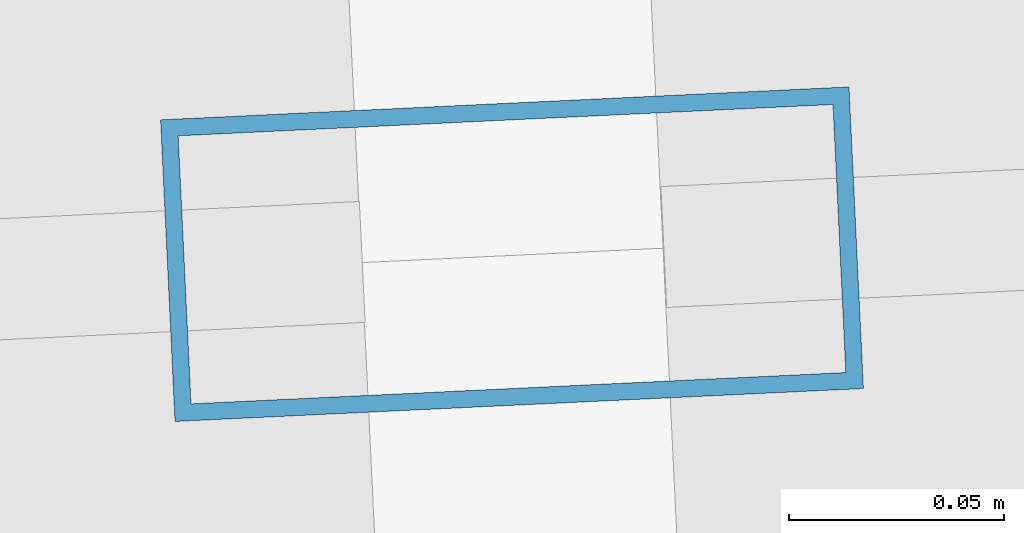
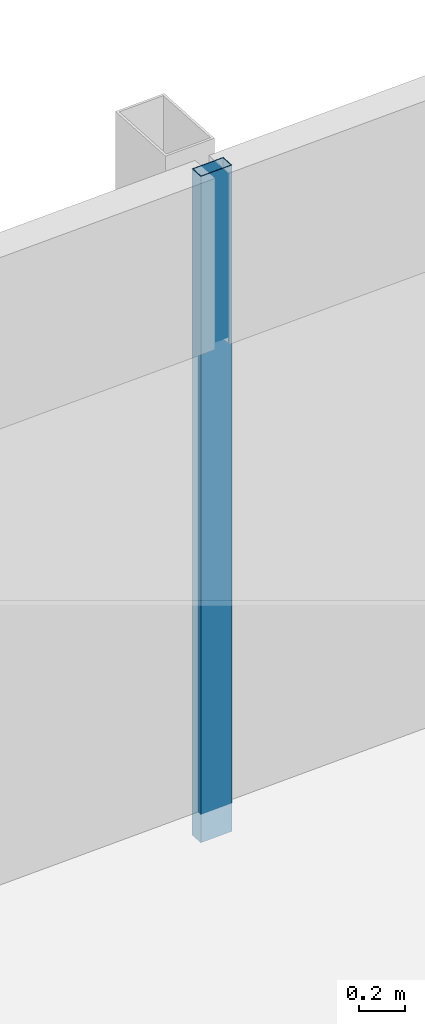
# One storey, part 21 of 39: 1 member, 1 element without a shape of its own.
"""IFC4 building model written with IfcOpenShell, lengths in metres."""

from ifc_helpers import new_model, si_unit, direction, frame, origin, origin_2d, place, context, subcontext, project, spatial, hollow_rectangle, extrude, material, material_profile, profile_set, type_object, element, aggregate, save


model = new_model("IFC4")

# Units and contexts
model_context = context("Model", 3, precision=1e-05, world=origin(), true_north=direction((0.0, 1.0)))
body_context = subcontext(model_context, "Body", "Model", "MODEL_VIEW")
ifc_project = project(units=[si_unit("LENGTHUNIT", "METRE"), si_unit("AREAUNIT", "SQUARE_METRE"), si_unit("VOLUMEUNIT", "CUBIC_METRE"), si_unit("PLANEANGLEUNIT", "RADIAN"), si_unit("MASSUNIT", "GRAM", prefix="KILO")], contexts=[model_context])

# Site, building, storey
site_placement = place(None, origin())
site = spatial("IfcSite", under=ifc_project, at=site_placement, CompositionType="ELEMENT")
building_placement = place(site_placement, origin())
building = spatial("IfcBuilding", under=site, at=building_placement, Name="Rekha Terrace Tower", CompositionType="ELEMENT")
storey_placement = place(building_placement, frame((0.0, 0.0, 180.199951171875)))
storey = spatial("IfcBuildingStorey", under=building, at=storey_placement, Name="L45", CompositionType="ELEMENT", Elevation=180.199951171875)

# Curtain wall, member
ifc_material_1 = material(Name="Aluminium framing", Category="aluminium")
curtain_wall_type = type_object("IfcCurtainWallType", Name="CW3 north unitised glazing", PredefinedType="USERDEFINED", material=ifc_material_1)
curtain_wall_placement = place(storey_placement, origin())
curtain_wall = element("IfcCurtainWall", 1, at=curtain_wall_placement, inside=storey, type_object=curtain_wall_type, Name="CW3 unitised curtain wall", ObjectType="UNITISED CURTAIN WALL", PredefinedType="USERDEFINED")
ifc_material_2 = material(Name="Aluminium mullion section", Category="aluminium")
ifc_material_profile = material_profile(ifc_material_2, hollow_rectangle(XDim=0.070068359375, YDim=0.159912109375, WallThickness=0.00390625, at=origin_2d()), Name="AL RHS 70x160")
ifc_profile_set = profile_set([ifc_material_profile], Name="Aluminium mullion section")
member_type = type_object("IfcMemberType", Name="CW3 mullion RHS 70 x 160", PredefinedType="MULLION", material=ifc_profile_set)
member_placement = place(storey_placement, frame((38.570068359375, 61.771240234375, 0.0), z_axis=(0.0, 0.0, 1.0), x_axis=(0.047758616983, -0.998858906204, 0.0)))
member = element("IfcMember", 2, at=member_placement, type_object=member_type, Name="CW3 mullion 2", PredefinedType="MULLION", context=body_context, shape_type="SweptSolid", body=[
    extrude(hollow_rectangle(XDim=0.070068359375, YDim=0.159912109375, WallThickness=0.00390625, at=origin_2d()), origin(), (0.0, 0.0, 1.0), 3.5),
])
aggregate(curtain_wall, [member])

save(model, "model.ifc")
